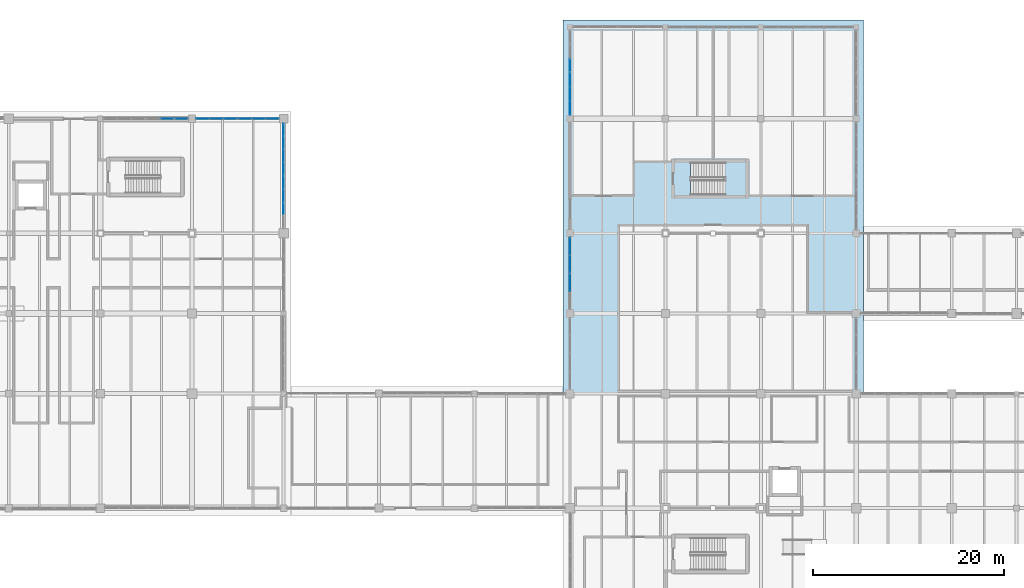
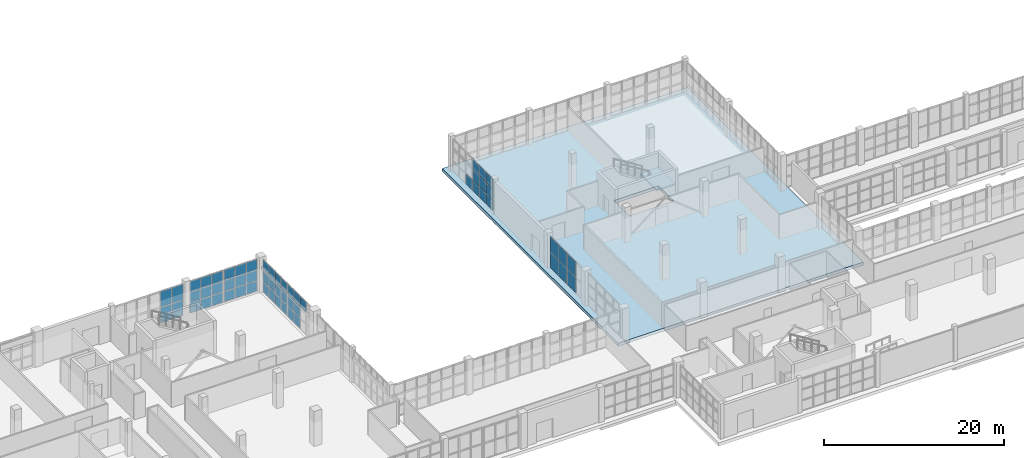
# One storey, part 83 of 121: 57 plates, 2 slabs, 10 elements without a shape of their own.
"""IFC4 building model written with IfcOpenShell, lengths in metres."""

import ifcopenshell
import ifcopenshell.guid

model = None  # the IFC model being written
_history = None  # IfcOwnerHistory: only IFC2X3 demands one
_inside = {}  # id of a spatial element -> (the spatial element, [elements in it])
_under = {}  # id of a project, library or spatial element -> (it, [spatial elements below it])
_declared = {}  # id of a project -> (the project, [libraries it declares])
_typed = {}  # id of a type object -> (the type object, [elements of that type])
_made_of = {}  # id of a material, layer set ... -> (it, [elements and type objects made of it])


def new_model(schema):
    """Start an empty IFC model of exactly this schema.

    Asked for "IFC4X3", IfcOpenShell would pick the latest addendum, in which some entities
    have other attributes; the version numbers below select the first issue.
    IFC2X3 requires an IfcOwnerHistory on every rooted entity: one is made here for all.
    """
    global model, _history
    if schema == "IFC4X3":
        model = ifcopenshell.file(schema_version=(4, 3, 0, 0))
    else:
        model = ifcopenshell.file(schema=schema)
    _inside.clear()
    _under.clear()
    _declared.clear()
    _typed.clear()
    _made_of.clear()
    _history = None
    if model.schema == "IFC2X3":
        org = make("IfcOrganization", Name="unknown")
        user = make(
            "IfcPersonAndOrganization",
            ThePerson=make("IfcPerson", FamilyName="unknown"),
            TheOrganization=org,
        )
        app = make(
            "IfcApplication",
            ApplicationDeveloper=org,
            Version="unknown",
            ApplicationFullName="unknown",
            ApplicationIdentifier="unknown",
        )
        _history = make(
            "IfcOwnerHistory",
            OwningUser=user,
            OwningApplication=app,
            ChangeAction="ADDED",
            CreationDate=0,
        )
    return model


def make(cls, **values):
    """One entity of the class cls with the attributes given. An attribute that is None is left unset."""
    return model.create_entity(
        cls, **{name: value for name, value in values.items() if value is not None}
    )


def rooted(cls, **values):
    """An entity with a GlobalId (a new one), such as an element, a storey or a relation."""
    return make(cls, GlobalId=ifcopenshell.guid.new(), OwnerHistory=_history, **values)


def si_unit(unit_type, name, prefix=None):
    """IfcSIUnit, for example si_unit("LENGTHUNIT", "METRE", prefix="MILLI")."""
    return make("IfcSIUnit", UnitType=unit_type, Prefix=prefix, Name=name)


def assignment(units):
    """IfcUnitAssignment: the units of a project."""
    return None if units is None else make("IfcUnitAssignment", Units=units)


def point(xyz):
    """IfcCartesianPoint."""
    return None if xyz is None else make("IfcCartesianPoint", Coordinates=xyz)


def direction(xyz):
    """IfcDirection."""
    return None if xyz is None else make("IfcDirection", DirectionRatios=xyz)


def frame(location, z_axis=None, x_axis=None):
    """IfcAxis2Placement3D, a coordinate frame: its origin and axes. An axis left out is left unset."""
    return make(
        "IfcAxis2Placement3D",
        Location=point(location),
        Axis=direction(z_axis),
        RefDirection=direction(x_axis),
    )


def frame_2d(location, x_axis=None):
    """IfcAxis2Placement2D, a coordinate frame in the plane: its origin and x axis."""
    return make(
        "IfcAxis2Placement2D", Location=point(location), RefDirection=direction(x_axis)
    )


def origin():
    """The frame at (0, 0, 0) with its axes left unset."""
    return frame((0.0, 0.0, 0.0))


def origin_2d():
    """The frame at (0, 0) in the plane with its x axis left unset."""
    return frame_2d((0.0, 0.0))


def place(relative_to, where):
    """IfcLocalPlacement: puts the frame where relative to a parent placement (None: the world)."""
    return make(
        "IfcLocalPlacement", PlacementRelTo=relative_to, RelativePlacement=where
    )


def context(
    kind, dimensions, precision=None, world=None, true_north=None, identifier=None
):
    """IfcGeometricRepresentationContext, for example the 3D "Model" context."""
    return make(
        "IfcGeometricRepresentationContext",
        ContextIdentifier=identifier,
        ContextType=kind,
        CoordinateSpaceDimension=dimensions,
        Precision=precision,
        WorldCoordinateSystem=world,
        TrueNorth=true_north,
    )


def subcontext(parent, identifier, kind, view, scale=None):
    """IfcGeometricRepresentationSubContext, for example "Body" below "Model"."""
    return make(
        "IfcGeometricRepresentationSubContext",
        ContextIdentifier=identifier,
        ContextType=kind,
        ParentContext=parent,
        TargetScale=scale,
        TargetView=view,
    )


def project(units=None, contexts=None):
    """IfcProject with its units and contexts."""
    return rooted(
        "IfcProject",
        Name="project",
        RepresentationContexts=contexts,
        UnitsInContext=assignment(units),
    )


def spatial(cls, under=None, at=None, **own):
    """A site, building, storey or space (cls), placed at a placement, below another one or the project."""
    s = rooted(cls, ObjectPlacement=at, **own)
    if under is not None:
        _under.setdefault(under.id(), (under, []))[1].append(s)
    return s


def polyline(points):
    """IfcPolyline through the points."""
    return make("IfcPolyline", Points=[point(p) for p in points])


def profile(cls, at=None, kind="AREA", **sizes):
    """A parametric profile (cls). Its sizes go by their IFC names, for example OverallWidth=200.0."""
    return make(cls, ProfileType=kind, Position=at, **sizes)


def rectangle(**sizes):
    """IfcRectangleProfileDef."""
    return profile("IfcRectangleProfileDef", **sizes)


def outline(outer, holes=None, kind="AREA"):
    """IfcArbitraryClosedProfileDef: a profile drawn as a closed curve; with holes, ...WithVoids."""
    if holes is None:
        return make("IfcArbitraryClosedProfileDef", ProfileType=kind, OuterCurve=outer)
    return make(
        "IfcArbitraryProfileDefWithVoids",
        ProfileType=kind,
        OuterCurve=outer,
        InnerCurves=holes,
    )


def extrude(swept, where, along, depth):
    """IfcExtrudedAreaSolid: the profile swept, set in the frame where, extruded along a direction by depth."""
    return make(
        "IfcExtrudedAreaSolid",
        SweptArea=swept,
        Position=where,
        ExtrudedDirection=direction(along),
        Depth=depth,
    )


def shape(context_of_items, identifier, shape_type, items):
    """IfcShapeRepresentation: the items that make up one representation, for example the "Body"."""
    return make(
        "IfcShapeRepresentation",
        ContextOfItems=context_of_items,
        RepresentationIdentifier=identifier,
        RepresentationType=shape_type,
        Items=items,
    )


def material(Name=None, Category=None):
    """IfcMaterial."""
    return make("IfcMaterial", Name=Name, Category=Category)


def layer(
    of_material, thickness, ventilated=None, Name=None, Category=None, Priority=None
):
    """IfcMaterialLayer: one layer of a wall or slab, of a material (None: an air gap)."""
    return make(
        "IfcMaterialLayer",
        Material=of_material,
        LayerThickness=thickness,
        IsVentilated=ventilated,
        Name=Name,
        Category=Category,
        Priority=Priority,
    )


def layer_set(layers, Name=None):
    """IfcMaterialLayerSet."""
    return make("IfcMaterialLayerSet", MaterialLayers=layers, LayerSetName=Name)


def made_of(thing, what):
    """Note that an element or type object is made of a material, layer set ...; save() writes the relation."""
    if what is not None:
        _made_of.setdefault(what.id(), (what, []))[1].append(thing)
    return thing


def type_object(cls, material=None, **own):
    """A type object (cls), such as IfcWallType, which elements share."""
    return made_of(rooted(cls, **own), material)


def element(
    cls,
    number,
    at=None,
    inside=None,
    cuts=None,
    type_object=None,
    material=None,
    context=None,
    identifier="Body",
    shape_type=None,
    held_by="IfcProductDefinitionShape",
    body=None,
    shapes=None,
    **own,
):
    """One element of the class cls, such as IfcWall. Its Tag is "e" and its number.

    at: its placement. inside: the storey or other place that contains it. cuts: it is an
    opening in that element (IfcRelVoidsElement). A single representation is given by context,
    identifier, shape_type and body (its items); several are given by shapes. held_by: the class
    of the entity that holds the representations. save() writes the other relations.
    """
    e = rooted(cls, Tag="e%d" % number, ObjectPlacement=at, **own)
    if body is not None:
        shapes = [shape(context, identifier, shape_type, body)]
    if shapes is not None:
        e.Representation = make(held_by, Representations=shapes)
    if inside is not None:
        _inside.setdefault(inside.id(), (inside, []))[1].append(e)
    if cuts is not None:
        rooted(
            "IfcRelVoidsElement", RelatingBuildingElement=cuts, RelatedOpeningElement=e
        )
    if type_object is not None:
        _typed.setdefault(type_object.id(), (type_object, []))[1].append(e)
    return made_of(e, material)


def aggregate(whole, parts):
    """IfcRelAggregates: a whole, such as a stair, and the parts it consists of."""
    return rooted("IfcRelAggregates", RelatingObject=whole, RelatedObjects=parts)


def save(model, path):
    """Write the relations noted so far, then the file.

    IfcRelAggregates (storeys below a building ...), IfcRelContainedInSpatialStructure (elements
    in a storey), IfcRelDefinesByType, IfcRelAssociatesMaterial and IfcRelDeclares: one each for
    every whole, place, type object, material and project.
    """
    for whole, parts in _under.values():
        aggregate(whole, parts)
    for where, things in _inside.values():
        rooted(
            "IfcRelContainedInSpatialStructure",
            RelatedElements=things,
            RelatingStructure=where,
        )
    for kind, things in _typed.values():
        rooted("IfcRelDefinesByType", RelatedObjects=things, RelatingType=kind)
    for what, things in _made_of.values():
        rooted("IfcRelAssociatesMaterial", RelatedObjects=things, RelatingMaterial=what)
    for by, libraries in _declared.values():
        rooted("IfcRelDeclares", RelatingContext=by, RelatedDefinitions=libraries)
    model.write(path)


model = new_model("IFC4")

# Units and contexts
model_context = context("Model", 3, precision=1e-05, world=origin(), true_north=direction((0.0, 1.0)))
body_context = subcontext(model_context, "Body", "Model", "MODEL_VIEW")
ifc_project = project(units=[si_unit("LENGTHUNIT", "METRE"), si_unit("AREAUNIT", "SQUARE_METRE"), si_unit("VOLUMEUNIT", "CUBIC_METRE"), si_unit("PLANEANGLEUNIT", "RADIAN"), si_unit("MASSUNIT", "GRAM", prefix="KILO")], contexts=[model_context])

# Site, building, storey
site_placement = place(None, origin())
site = spatial("IfcSite", under=ifc_project, at=site_placement, CompositionType="ELEMENT")
building_placement = place(site_placement, origin())
building = spatial("IfcBuilding", under=site, at=building_placement, Name="Zereglee Splitstone Museum", CompositionType="ELEMENT")
storey_placement = place(building_placement, origin())
storey = spatial("IfcBuildingStorey", under=building, at=storey_placement, Name="L00", CompositionType="ELEMENT", Elevation=0.0)

# Curtain wall, plate
ifc_material_1 = material(Name="Triple-glazed low-E argon glass and bronze-anodised aluminium", Category="aluminium")
ifc_layer_1 = layer(ifc_material_1, 0.179931640625)
ifc_layer_set_1 = layer_set([ifc_layer_1], Name="Triple-glazed low-E argon glass and bronze-anodised aluminium")
curtain_wall_type_1 = type_object("IfcCurtainWallType", Name="CW-0443-444", PredefinedType="USERDEFINED", material=ifc_layer_set_1)
curtain_wall_1_placement = place(storey_placement, origin())
curtain_wall_1 = element("IfcCurtainWall", 1, at=curtain_wall_1_placement, inside=storey, type_object=curtain_wall_type_1, Name="Glazed Curtain Wall CW-0443-444 (L00)", ObjectType="GLAZED CURTAIN WALL", PredefinedType="USERDEFINED")
ifc_material_2 = material(Name="Triple low-e argon insulated safety glass", Category="glass")
ifc_layer_2 = layer(ifc_material_2, 0.035888671875)
ifc_layer_set_2 = layer_set([ifc_layer_2], Name="Triple low-e argon insulated safety glass")
plate_type = type_object("IfcPlateType", Name="CWP-01", PredefinedType="CURTAIN_PANEL", material=ifc_layer_set_2)
plate_1_placement = place(storey_placement, frame((175.199951171875, 56.01904296875, 0.06494140625), z_axis=(0.0, 0.0, 1.0), x_axis=(0.0, -1.0, 0.0)))
plate_1 = element("IfcPlate", 2, at=plate_1_placement, type_object=plate_type, Name="CW-0443-444 panel 3.1", PredefinedType="CURTAIN_PANEL", context=body_context, shape_type="SweptSolid", body=[
    extrude(rectangle(XDim=1.378173828125, YDim=0.035888671875, at=origin_2d()), origin(), (0.0, 0.0, 1.0), 1.382568359375),
])
aggregate(curtain_wall_1, [plate_1])

# Curtain wall, plates
ifc_layer_3 = layer(ifc_material_1, 0.179931640625)
ifc_layer_set_3 = layer_set([ifc_layer_3], Name="Triple-glazed low-E argon glass and bronze-anodised aluminium")
curtain_wall_type_2 = type_object("IfcCurtainWallType", Name="CW-0443-442", PredefinedType="USERDEFINED", material=ifc_layer_set_3)
curtain_wall_2_placement = place(storey_placement, origin())
curtain_wall_2 = element("IfcCurtainWall", 3, at=curtain_wall_2_placement, inside=storey, type_object=curtain_wall_type_2, Name="Glazed Curtain Wall CW-0443-442 (L00)", ObjectType="GLAZED CURTAIN WALL", PredefinedType="USERDEFINED")
plate_2_placement = place(storey_placement, frame((175.199951171875, 54.430908203125, 0.06494140625), z_axis=(0.0, 0.0, 1.0), x_axis=(0.0, -1.0, 0.0)))
plate_2 = element("IfcPlate", 4, at=plate_2_placement, type_object=plate_type, Name="CW-0443-442 panel 1.1", PredefinedType="CURTAIN_PANEL", context=body_context, shape_type="SweptSolid", body=[
    extrude(rectangle(XDim=1.378173828125, YDim=0.035888671875, at=origin_2d()), origin(), (0.0, 0.0, 1.0), 1.375732421875),
])
plate_3_placement = place(storey_placement, frame((175.199951171875, 54.430908203125, 1.505859375), z_axis=(0.0, 0.0, 1.0), x_axis=(0.0, -1.0, 0.0)))
plate_3 = element("IfcPlate", 5, at=plate_3_placement, type_object=plate_type, Name="CW-0443-442 panel 1.2", PredefinedType="CURTAIN_PANEL", context=body_context, shape_type="SweptSolid", body=[
    extrude(rectangle(XDim=1.378173828125, YDim=0.035888671875, at=origin_2d()), origin(), (0.0, 0.0, 1.0), 1.408447265625),
])
plate_4_placement = place(storey_placement, frame((175.199951171875, 54.430908203125, 2.97900390625), z_axis=(0.0, 0.0, 1.0), x_axis=(0.0, -1.0, 0.0)))
plate_4 = element("IfcPlate", 6, at=plate_4_placement, type_object=plate_type, Name="CW-0443-442 panel 1.3", PredefinedType="CURTAIN_PANEL", context=body_context, shape_type="SweptSolid", body=[
    extrude(rectangle(XDim=1.378173828125, YDim=0.035888671875, at=origin_2d()), origin(), (0.0, 0.0, 1.0), 1.375732421875),
])
plate_5_placement = place(storey_placement, frame((175.199951171875, 52.971435546875, 0.06494140625), z_axis=(0.0, 0.0, 1.0), x_axis=(0.0, -1.0, 0.0)))
plate_5 = element("IfcPlate", 7, at=plate_5_placement, type_object=plate_type, Name="CW-0443-442 panel 2.1", PredefinedType="CURTAIN_PANEL", context=body_context, shape_type="SweptSolid", body=[
    extrude(rectangle(XDim=1.41064453125, YDim=0.035888671875, at=origin_2d()), origin(), (0.0, 0.0, 1.0), 1.375732421875),
])
plate_6_placement = place(storey_placement, frame((175.199951171875, 52.971435546875, 1.505859375), z_axis=(0.0, 0.0, 1.0), x_axis=(0.0, -1.0, 0.0)))
plate_6 = element("IfcPlate", 8, at=plate_6_placement, type_object=plate_type, Name="CW-0443-442 panel 2.2", PredefinedType="CURTAIN_PANEL", context=body_context, shape_type="SweptSolid", body=[
    extrude(rectangle(XDim=1.41064453125, YDim=0.035888671875, at=origin_2d()), origin(), (0.0, 0.0, 1.0), 1.408447265625),
])
plate_7_placement = place(storey_placement, frame((175.199951171875, 52.971435546875, 2.97900390625), z_axis=(0.0, 0.0, 1.0), x_axis=(0.0, -1.0, 0.0)))
plate_7 = element("IfcPlate", 9, at=plate_7_placement, type_object=plate_type, Name="CW-0443-442 panel 2.3", PredefinedType="CURTAIN_PANEL", context=body_context, shape_type="SweptSolid", body=[
    extrude(rectangle(XDim=1.41064453125, YDim=0.035888671875, at=origin_2d()), origin(), (0.0, 0.0, 1.0), 1.375732421875),
])
plate_8_placement = place(storey_placement, frame((175.199951171875, 51.511962890625, 0.06494140625), z_axis=(0.0, 0.0, 1.0), x_axis=(0.0, -1.0, 0.0)))
plate_8 = element("IfcPlate", 10, at=plate_8_placement, type_object=plate_type, Name="CW-0443-442 panel 3.1", PredefinedType="CURTAIN_PANEL", context=body_context, shape_type="SweptSolid", body=[
    extrude(rectangle(XDim=1.378173828125, YDim=0.035888671875, at=origin_2d()), origin(), (0.0, 0.0, 1.0), 1.375732421875),
])
plate_9_placement = place(storey_placement, frame((175.199951171875, 51.511962890625, 1.505859375), z_axis=(0.0, 0.0, 1.0), x_axis=(0.0, -1.0, 0.0)))
plate_9 = element("IfcPlate", 11, at=plate_9_placement, type_object=plate_type, Name="CW-0443-442 panel 3.2", PredefinedType="CURTAIN_PANEL", context=body_context, shape_type="SweptSolid", body=[
    extrude(rectangle(XDim=1.378173828125, YDim=0.035888671875, at=origin_2d()), origin(), (0.0, 0.0, 1.0), 1.408447265625),
])
plate_10_placement = place(storey_placement, frame((175.199951171875, 51.511962890625, 2.97900390625), z_axis=(0.0, 0.0, 1.0), x_axis=(0.0, -1.0, 0.0)))
plate_10 = element("IfcPlate", 12, at=plate_10_placement, type_object=plate_type, Name="CW-0443-442 panel 3.3", PredefinedType="CURTAIN_PANEL", context=body_context, shape_type="SweptSolid", body=[
    extrude(rectangle(XDim=1.378173828125, YDim=0.035888671875, at=origin_2d()), origin(), (0.0, 0.0, 1.0), 1.375732421875),
])
aggregate(curtain_wall_2, [plate_2, plate_3, plate_4, plate_5, plate_6, plate_7, plate_8, plate_9, plate_10])

ifc_layer_4 = layer(ifc_material_1, 0.179931640625)
ifc_layer_set_4 = layer_set([ifc_layer_4], Name="Triple-glazed low-E argon glass and bronze-anodised aluminium")
curtain_wall_type_3 = type_object("IfcCurtainWallType", Name="CW-0375-438", PredefinedType="USERDEFINED", material=ifc_layer_set_4)
curtain_wall_3_placement = place(storey_placement, origin())
curtain_wall_3 = element("IfcCurtainWall", 13, at=curtain_wall_3_placement, inside=storey, type_object=curtain_wall_type_3, Name="Glazed Curtain Wall CW-0375-438 (L00)", ObjectType="GLAZED CURTAIN WALL", PredefinedType="USERDEFINED")
plate_11_placement = place(storey_placement, frame((175.199951171875, 37.062744140625, 0.06494140625), z_axis=(0.0, 0.0, 1.0), x_axis=(0.0, -1.0, 0.0)))
plate_11 = element("IfcPlate", 14, at=plate_11_placement, type_object=plate_type, Name="CW-0375-438 panel 1.1", PredefinedType="CURTAIN_PANEL", context=body_context, shape_type="SweptSolid", body=[
    extrude(rectangle(XDim=1.778564453125, YDim=0.035888671875, at=origin_2d()), origin(), (0.0, 0.0, 1.0), 2.092529296875),
])
plate_12_placement = place(storey_placement, frame((175.199951171875, 37.062744140625, 2.22265625), z_axis=(0.0, 0.0, 1.0), x_axis=(0.0, -1.0, 0.0)))
plate_12 = element("IfcPlate", 15, at=plate_12_placement, type_object=plate_type, Name="CW-0375-438 panel 1.2", PredefinedType="CURTAIN_PANEL", context=body_context, shape_type="SweptSolid", body=[
    extrude(rectangle(XDim=1.778564453125, YDim=0.035888671875, at=origin_2d()), origin(), (0.0, 0.0, 1.0), 2.092529296875),
])
plate_13_placement = place(storey_placement, frame((175.199951171875, 35.21923828125, 0.06494140625), z_axis=(0.0, 0.0, 1.0), x_axis=(0.0, -1.0, 0.0)))
plate_13 = element("IfcPlate", 16, at=plate_13_placement, type_object=plate_type, Name="CW-0375-438 panel 2.1", PredefinedType="CURTAIN_PANEL", context=body_context, shape_type="SweptSolid", body=[
    extrude(rectangle(XDim=1.778564453125, YDim=0.035888671875, at=origin_2d()), origin(), (0.0, 0.0, 1.0), 2.092529296875),
])
plate_14_placement = place(storey_placement, frame((175.199951171875, 35.21923828125, 2.22265625), z_axis=(0.0, 0.0, 1.0), x_axis=(0.0, -1.0, 0.0)))
plate_14 = element("IfcPlate", 17, at=plate_14_placement, type_object=plate_type, Name="CW-0375-438 panel 2.2", PredefinedType="CURTAIN_PANEL", context=body_context, shape_type="SweptSolid", body=[
    extrude(rectangle(XDim=1.778564453125, YDim=0.035888671875, at=origin_2d()), origin(), (0.0, 0.0, 1.0), 2.092529296875),
])
aggregate(curtain_wall_3, [plate_11, plate_12, plate_13, plate_14])

ifc_layer_5 = layer(ifc_material_1, 0.179931640625)
ifc_layer_set_5 = layer_set([ifc_layer_5], Name="Triple-glazed low-E argon glass and bronze-anodised aluminium")
curtain_wall_type_4 = type_object("IfcCurtainWallType", Name="CW-0375-436", PredefinedType="USERDEFINED", material=ifc_layer_set_5)
curtain_wall_4_placement = place(storey_placement, origin())
curtain_wall_4 = element("IfcCurtainWall", 18, at=curtain_wall_4_placement, inside=storey, type_object=curtain_wall_type_4, Name="Glazed Curtain Wall CW-0375-436 (L00)", ObjectType="GLAZED CURTAIN WALL", PredefinedType="USERDEFINED")
plate_15_placement = place(storey_placement, frame((175.199951171875, 33.230712890625, 0.06494140625), z_axis=(0.0, 0.0, 1.0), x_axis=(0.0, -1.0, 0.0)))
plate_15 = element("IfcPlate", 19, at=plate_15_placement, type_object=plate_type, Name="CW-0375-436 panel 1.1", PredefinedType="CURTAIN_PANEL", context=body_context, shape_type="SweptSolid", body=[
    extrude(rectangle(XDim=1.778564453125, YDim=0.035888671875, at=origin_2d()), origin(), (0.0, 0.0, 1.0), 2.08251953125),
])
plate_16_placement = place(storey_placement, frame((175.199951171875, 33.230712890625, 2.21240234375), z_axis=(0.0, 0.0, 1.0), x_axis=(0.0, -1.0, 0.0)))
plate_16 = element("IfcPlate", 20, at=plate_16_placement, type_object=plate_type, Name="CW-0375-436 panel 1.2", PredefinedType="CURTAIN_PANEL", context=body_context, shape_type="SweptSolid", body=[
    extrude(rectangle(XDim=1.778564453125, YDim=0.035888671875, at=origin_2d()), origin(), (0.0, 0.0, 1.0), 2.08251953125),
])
aggregate(curtain_wall_4, [plate_15, plate_16])

ifc_layer_6 = layer(ifc_material_1, 0.179931640625)
ifc_layer_set_6 = layer_set([ifc_layer_6], Name="Triple-glazed low-E argon glass and bronze-anodised aluminium")
curtain_wall_type_5 = type_object("IfcCurtainWallType", Name="CW-0548-450", PredefinedType="USERDEFINED", material=ifc_layer_set_6)
curtain_wall_5_placement = place(storey_placement, origin())
curtain_wall_5 = element("IfcCurtainWall", 21, at=curtain_wall_5_placement, inside=storey, type_object=curtain_wall_type_5, Name="Glazed Curtain Wall CW-0548-450 (L00)", ObjectType="GLAZED CURTAIN WALL", PredefinedType="USERDEFINED")
plate_17_placement = place(storey_placement, frame((145.199951171875, 40.9619140625, 3.0322265625), z_axis=(0.0, 0.0, 1.0), x_axis=(0.0, 1.0, 0.0)))
plate_17 = element("IfcPlate", 22, at=plate_17_placement, type_object=plate_type, Name="CW-0548-450 panel 2.3", PredefinedType="CURTAIN_PANEL", context=body_context, shape_type="SweptSolid", body=[
    extrude(rectangle(XDim=1.30419921875, YDim=0.035888671875, at=origin_2d()), origin(), (0.0, 0.0, 1.0), 1.402587890625),
])
plate_18_placement = place(storey_placement, frame((145.199951171875, 42.3310546875, 0.06494140625), z_axis=(0.0, 0.0, 1.0), x_axis=(0.0, 1.0, 0.0)))
plate_18 = element("IfcPlate", 23, at=plate_18_placement, type_object=plate_type, Name="CW-0548-450 panel 3.1", PredefinedType="CURTAIN_PANEL", context=body_context, shape_type="SweptSolid", body=[
    extrude(rectangle(XDim=1.30419921875, YDim=0.035888671875, at=origin_2d()), origin(), (0.0, 0.0, 1.0), 1.402587890625),
])
plate_19_placement = place(storey_placement, frame((145.199951171875, 42.3310546875, 1.532470703125), z_axis=(0.0, 0.0, 1.0), x_axis=(0.0, 1.0, 0.0)))
plate_19 = element("IfcPlate", 24, at=plate_19_placement, type_object=plate_type, Name="CW-0548-450 panel 3.2", PredefinedType="CURTAIN_PANEL", context=body_context, shape_type="SweptSolid", body=[
    extrude(rectangle(XDim=1.30419921875, YDim=0.035888671875, at=origin_2d()), origin(), (0.0, 0.0, 1.0), 1.43505859375),
])
plate_20_placement = place(storey_placement, frame((145.199951171875, 42.3310546875, 3.0322265625), z_axis=(0.0, 0.0, 1.0), x_axis=(0.0, 1.0, 0.0)))
plate_20 = element("IfcPlate", 25, at=plate_20_placement, type_object=plate_type, Name="CW-0548-450 panel 3.3", PredefinedType="CURTAIN_PANEL", context=body_context, shape_type="SweptSolid", body=[
    extrude(rectangle(XDim=1.30419921875, YDim=0.035888671875, at=origin_2d()), origin(), (0.0, 0.0, 1.0), 1.402587890625),
])
plate_21_placement = place(storey_placement, frame((145.199951171875, 43.68408203125, 0.06494140625), z_axis=(0.0, 0.0, 1.0), x_axis=(0.0, 1.0, 0.0)))
plate_21 = element("IfcPlate", 26, at=plate_21_placement, type_object=plate_type, Name="CW-0548-450 panel 4.1", PredefinedType="CURTAIN_PANEL", context=body_context, shape_type="SweptSolid", body=[
    extrude(rectangle(XDim=1.271728515625, YDim=0.035888671875, at=origin_2d()), origin(), (0.0, 0.0, 1.0), 1.402587890625),
])
plate_22_placement = place(storey_placement, frame((145.199951171875, 43.68408203125, 1.532470703125), z_axis=(0.0, 0.0, 1.0), x_axis=(0.0, 1.0, 0.0)))
plate_22 = element("IfcPlate", 27, at=plate_22_placement, type_object=plate_type, Name="CW-0548-450 panel 4.2", PredefinedType="CURTAIN_PANEL", context=body_context, shape_type="SweptSolid", body=[
    extrude(rectangle(XDim=1.271728515625, YDim=0.035888671875, at=origin_2d()), origin(), (0.0, 0.0, 1.0), 1.43505859375),
])
plate_23_placement = place(storey_placement, frame((145.199951171875, 43.68408203125, 3.0322265625), z_axis=(0.0, 0.0, 1.0), x_axis=(0.0, 1.0, 0.0)))
plate_23 = element("IfcPlate", 28, at=plate_23_placement, type_object=plate_type, Name="CW-0548-450 panel 4.3", PredefinedType="CURTAIN_PANEL", context=body_context, shape_type="SweptSolid", body=[
    extrude(rectangle(XDim=1.271728515625, YDim=0.035888671875, at=origin_2d()), origin(), (0.0, 0.0, 1.0), 1.402587890625),
])
aggregate(curtain_wall_5, [plate_17, plate_18, plate_19, plate_20, plate_21, plate_22, plate_23])

ifc_layer_7 = layer(ifc_material_1, 0.179931640625)
ifc_layer_set_7 = layer_set([ifc_layer_7], Name="Triple-glazed low-E argon glass and bronze-anodised aluminium")
curtain_wall_type_6 = type_object("IfcCurtainWallType", Name="CW-0548-448", PredefinedType="USERDEFINED", material=ifc_layer_set_7)
curtain_wall_6_placement = place(storey_placement, origin())
curtain_wall_6 = element("IfcCurtainWall", 29, at=curtain_wall_6_placement, inside=storey, type_object=curtain_wall_type_6, Name="Glazed Curtain Wall CW-0548-448 (L00)", ObjectType="GLAZED CURTAIN WALL", PredefinedType="USERDEFINED")
plate_24_placement = place(storey_placement, frame((145.199951171875, 45.165771484375, 0.06494140625), z_axis=(0.0, 0.0, 1.0), x_axis=(0.0, 1.0, 0.0)))
plate_24 = element("IfcPlate", 30, at=plate_24_placement, type_object=plate_type, Name="CW-0548-448 panel 1.1", PredefinedType="CURTAIN_PANEL", context=body_context, shape_type="SweptSolid", body=[
    extrude(rectangle(XDim=1.271728515625, YDim=0.035888671875, at=origin_2d()), origin(), (0.0, 0.0, 1.0), 1.395751953125),
])
plate_25_placement = place(storey_placement, frame((145.199951171875, 45.165771484375, 1.52587890625), z_axis=(0.0, 0.0, 1.0), x_axis=(0.0, 1.0, 0.0)))
plate_25 = element("IfcPlate", 31, at=plate_25_placement, type_object=plate_type, Name="CW-0548-448 panel 1.2", PredefinedType="CURTAIN_PANEL", context=body_context, shape_type="SweptSolid", body=[
    extrude(rectangle(XDim=1.271728515625, YDim=0.035888671875, at=origin_2d()), origin(), (0.0, 0.0, 1.0), 1.428466796875),
])
plate_26_placement = place(storey_placement, frame((145.199951171875, 45.165771484375, 3.01904296875), z_axis=(0.0, 0.0, 1.0), x_axis=(0.0, 1.0, 0.0)))
plate_26 = element("IfcPlate", 32, at=plate_26_placement, type_object=plate_type, Name="CW-0548-448 panel 1.3", PredefinedType="CURTAIN_PANEL", context=body_context, shape_type="SweptSolid", body=[
    extrude(rectangle(XDim=1.271728515625, YDim=0.035888671875, at=origin_2d()), origin(), (0.0, 0.0, 1.0), 1.395751953125),
])
plate_27_placement = place(storey_placement, frame((145.199951171875, 46.518798828125, 0.06494140625), z_axis=(0.0, 0.0, 1.0), x_axis=(0.0, 1.0, 0.0)))
plate_27 = element("IfcPlate", 33, at=plate_27_placement, type_object=plate_type, Name="CW-0548-448 panel 2.1", PredefinedType="CURTAIN_PANEL", context=body_context, shape_type="SweptSolid", body=[
    extrude(rectangle(XDim=1.30419921875, YDim=0.035888671875, at=origin_2d()), origin(), (0.0, 0.0, 1.0), 1.395751953125),
])
plate_28_placement = place(storey_placement, frame((145.199951171875, 46.518798828125, 1.52587890625), z_axis=(0.0, 0.0, 1.0), x_axis=(0.0, 1.0, 0.0)))
plate_28 = element("IfcPlate", 34, at=plate_28_placement, type_object=plate_type, Name="CW-0548-448 panel 2.2", PredefinedType="CURTAIN_PANEL", context=body_context, shape_type="SweptSolid", body=[
    extrude(rectangle(XDim=1.30419921875, YDim=0.035888671875, at=origin_2d()), origin(), (0.0, 0.0, 1.0), 1.428466796875),
])
plate_29_placement = place(storey_placement, frame((145.199951171875, 46.518798828125, 3.01904296875), z_axis=(0.0, 0.0, 1.0), x_axis=(0.0, 1.0, 0.0)))
plate_29 = element("IfcPlate", 35, at=plate_29_placement, type_object=plate_type, Name="CW-0548-448 panel 2.3", PredefinedType="CURTAIN_PANEL", context=body_context, shape_type="SweptSolid", body=[
    extrude(rectangle(XDim=1.30419921875, YDim=0.035888671875, at=origin_2d()), origin(), (0.0, 0.0, 1.0), 1.395751953125),
])
plate_30_placement = place(storey_placement, frame((145.199951171875, 47.88818359375, 0.06494140625), z_axis=(0.0, 0.0, 1.0), x_axis=(0.0, 1.0, 0.0)))
plate_30 = element("IfcPlate", 36, at=plate_30_placement, type_object=plate_type, Name="CW-0548-448 panel 3.1", PredefinedType="CURTAIN_PANEL", context=body_context, shape_type="SweptSolid", body=[
    extrude(rectangle(XDim=1.30419921875, YDim=0.035888671875, at=origin_2d()), origin(), (0.0, 0.0, 1.0), 1.395751953125),
])
plate_31_placement = place(storey_placement, frame((145.199951171875, 47.88818359375, 1.52587890625), z_axis=(0.0, 0.0, 1.0), x_axis=(0.0, 1.0, 0.0)))
plate_31 = element("IfcPlate", 37, at=plate_31_placement, type_object=plate_type, Name="CW-0548-448 panel 3.2", PredefinedType="CURTAIN_PANEL", context=body_context, shape_type="SweptSolid", body=[
    extrude(rectangle(XDim=1.30419921875, YDim=0.035888671875, at=origin_2d()), origin(), (0.0, 0.0, 1.0), 1.428466796875),
])
plate_32_placement = place(storey_placement, frame((145.199951171875, 47.88818359375, 3.01904296875), z_axis=(0.0, 0.0, 1.0), x_axis=(0.0, 1.0, 0.0)))
plate_32 = element("IfcPlate", 38, at=plate_32_placement, type_object=plate_type, Name="CW-0548-448 panel 3.3", PredefinedType="CURTAIN_PANEL", context=body_context, shape_type="SweptSolid", body=[
    extrude(rectangle(XDim=1.30419921875, YDim=0.035888671875, at=origin_2d()), origin(), (0.0, 0.0, 1.0), 1.395751953125),
])
plate_33_placement = place(storey_placement, frame((145.199951171875, 49.2412109375, 0.06494140625), z_axis=(0.0, 0.0, 1.0), x_axis=(0.0, 1.0, 0.0)))
plate_33 = element("IfcPlate", 39, at=plate_33_placement, type_object=plate_type, Name="CW-0548-448 panel 4.1", PredefinedType="CURTAIN_PANEL", context=body_context, shape_type="SweptSolid", body=[
    extrude(rectangle(XDim=1.271728515625, YDim=0.035888671875, at=origin_2d()), origin(), (0.0, 0.0, 1.0), 1.395751953125),
])
plate_34_placement = place(storey_placement, frame((145.199951171875, 49.2412109375, 1.52587890625), z_axis=(0.0, 0.0, 1.0), x_axis=(0.0, 1.0, 0.0)))
plate_34 = element("IfcPlate", 40, at=plate_34_placement, type_object=plate_type, Name="CW-0548-448 panel 4.2", PredefinedType="CURTAIN_PANEL", context=body_context, shape_type="SweptSolid", body=[
    extrude(rectangle(XDim=1.271728515625, YDim=0.035888671875, at=origin_2d()), origin(), (0.0, 0.0, 1.0), 1.428466796875),
])
plate_35_placement = place(storey_placement, frame((145.199951171875, 49.2412109375, 3.01904296875), z_axis=(0.0, 0.0, 1.0), x_axis=(0.0, 1.0, 0.0)))
plate_35 = element("IfcPlate", 41, at=plate_35_placement, type_object=plate_type, Name="CW-0548-448 panel 4.3", PredefinedType="CURTAIN_PANEL", context=body_context, shape_type="SweptSolid", body=[
    extrude(rectangle(XDim=1.271728515625, YDim=0.035888671875, at=origin_2d()), origin(), (0.0, 0.0, 1.0), 1.395751953125),
])
aggregate(curtain_wall_6, [plate_24, plate_25, plate_26, plate_27, plate_28, plate_29, plate_30, plate_31, plate_32, plate_33, plate_34, plate_35])

ifc_layer_8 = layer(ifc_material_1, 0.179931640625)
ifc_layer_set_8 = layer_set([ifc_layer_8], Name="Triple-glazed low-E argon glass and bronze-anodised aluminium")
curtain_wall_type_7 = type_object("IfcCurtainWallType", Name="CW-0434-444", PredefinedType="USERDEFINED", material=ifc_layer_set_8)
curtain_wall_7_placement = place(storey_placement, origin())
curtain_wall_7 = element("IfcCurtainWall", 42, at=curtain_wall_7_placement, inside=storey, type_object=curtain_wall_type_7, Name="Glazed Curtain Wall CW-0434-444 (L00)", ObjectType="GLAZED CURTAIN WALL", PredefinedType="USERDEFINED")
plate_36_placement = place(storey_placement, frame((144.00244140625, 50.39990234375, 0.06494140625), z_axis=(0.0, 0.0, 1.0), x_axis=(-1.0, 0.0, 0.0)))
plate_36 = element("IfcPlate", 43, at=plate_36_placement, type_object=plate_type, Name="CW-0434-444 panel 1.1", PredefinedType="CURTAIN_PANEL", context=body_context, shape_type="SweptSolid", body=[
    extrude(rectangle(XDim=1.34912109375, YDim=0.035888671875, at=origin_2d()), origin(), (0.0, 0.0, 1.0), 1.382568359375),
])
plate_37_placement = place(storey_placement, frame((144.00244140625, 50.39990234375, 1.512451171875), z_axis=(0.0, 0.0, 1.0), x_axis=(-1.0, 0.0, 0.0)))
plate_37 = element("IfcPlate", 44, at=plate_37_placement, type_object=plate_type, Name="CW-0434-444 panel 1.2", PredefinedType="CURTAIN_PANEL", context=body_context, shape_type="SweptSolid", body=[
    extrude(rectangle(XDim=1.34912109375, YDim=0.035888671875, at=origin_2d()), origin(), (0.0, 0.0, 1.0), 1.4150390625),
])
plate_38_placement = place(storey_placement, frame((144.00244140625, 50.39990234375, 2.99267578125), z_axis=(0.0, 0.0, 1.0), x_axis=(-1.0, 0.0, 0.0)))
plate_38 = element("IfcPlate", 45, at=plate_38_placement, type_object=plate_type, Name="CW-0434-444 panel 1.3", PredefinedType="CURTAIN_PANEL", context=body_context, shape_type="SweptSolid", body=[
    extrude(rectangle(XDim=1.34912109375, YDim=0.035888671875, at=origin_2d()), origin(), (0.0, 0.0, 1.0), 1.382568359375),
])
plate_39_placement = place(storey_placement, frame((142.572265625, 50.39990234375, 0.06494140625), z_axis=(0.0, 0.0, 1.0), x_axis=(-1.0, 0.0, 0.0)))
plate_39 = element("IfcPlate", 46, at=plate_39_placement, type_object=plate_type, Name="CW-0434-444 panel 2.1", PredefinedType="CURTAIN_PANEL", context=body_context, shape_type="SweptSolid", body=[
    extrude(rectangle(XDim=1.381591796875, YDim=0.035888671875, at=origin_2d()), origin(), (0.0, 0.0, 1.0), 1.382568359375),
])
plate_40_placement = place(storey_placement, frame((142.572265625, 50.39990234375, 1.512451171875), z_axis=(0.0, 0.0, 1.0), x_axis=(-1.0, 0.0, 0.0)))
plate_40 = element("IfcPlate", 47, at=plate_40_placement, type_object=plate_type, Name="CW-0434-444 panel 2.2", PredefinedType="CURTAIN_PANEL", context=body_context, shape_type="SweptSolid", body=[
    extrude(rectangle(XDim=1.381591796875, YDim=0.035888671875, at=origin_2d()), origin(), (0.0, 0.0, 1.0), 1.4150390625),
])
plate_41_placement = place(storey_placement, frame((142.572265625, 50.39990234375, 2.99267578125), z_axis=(0.0, 0.0, 1.0), x_axis=(-1.0, 0.0, 0.0)))
plate_41 = element("IfcPlate", 48, at=plate_41_placement, type_object=plate_type, Name="CW-0434-444 panel 2.3", PredefinedType="CURTAIN_PANEL", context=body_context, shape_type="SweptSolid", body=[
    extrude(rectangle(XDim=1.381591796875, YDim=0.035888671875, at=origin_2d()), origin(), (0.0, 0.0, 1.0), 1.382568359375),
])
plate_42_placement = place(storey_placement, frame((141.14208984375, 50.39990234375, 0.06494140625), z_axis=(0.0, 0.0, 1.0), x_axis=(-1.0, 0.0, 0.0)))
plate_42 = element("IfcPlate", 49, at=plate_42_placement, type_object=plate_type, Name="CW-0434-444 panel 3.1", PredefinedType="CURTAIN_PANEL", context=body_context, shape_type="SweptSolid", body=[
    extrude(rectangle(XDim=1.34912109375, YDim=0.035888671875, at=origin_2d()), origin(), (0.0, 0.0, 1.0), 1.382568359375),
])
plate_43_placement = place(storey_placement, frame((141.14208984375, 50.39990234375, 1.512451171875), z_axis=(0.0, 0.0, 1.0), x_axis=(-1.0, 0.0, 0.0)))
plate_43 = element("IfcPlate", 50, at=plate_43_placement, type_object=plate_type, Name="CW-0434-444 panel 3.2", PredefinedType="CURTAIN_PANEL", context=body_context, shape_type="SweptSolid", body=[
    extrude(rectangle(XDim=1.34912109375, YDim=0.035888671875, at=origin_2d()), origin(), (0.0, 0.0, 1.0), 1.4150390625),
])
plate_44_placement = place(storey_placement, frame((141.14208984375, 50.39990234375, 2.99267578125), z_axis=(0.0, 0.0, 1.0), x_axis=(-1.0, 0.0, 0.0)))
plate_44 = element("IfcPlate", 51, at=plate_44_placement, type_object=plate_type, Name="CW-0434-444 panel 3.3", PredefinedType="CURTAIN_PANEL", context=body_context, shape_type="SweptSolid", body=[
    extrude(rectangle(XDim=1.34912109375, YDim=0.035888671875, at=origin_2d()), origin(), (0.0, 0.0, 1.0), 1.382568359375),
])
aggregate(curtain_wall_7, [plate_36, plate_37, plate_38, plate_39, plate_40, plate_41, plate_42, plate_43, plate_44])

ifc_layer_9 = layer(ifc_material_1, 0.179931640625)
ifc_layer_set_9 = layer_set([ifc_layer_9], Name="Triple-glazed low-E argon glass and bronze-anodised aluminium")
curtain_wall_type_8 = type_object("IfcCurtainWallType", Name="CW-0434-442", PredefinedType="USERDEFINED", material=ifc_layer_set_9)
curtain_wall_8_placement = place(storey_placement, origin())
curtain_wall_8 = element("IfcCurtainWall", 52, at=curtain_wall_8_placement, inside=storey, type_object=curtain_wall_type_8, Name="Glazed Curtain Wall CW-0434-442 (L00)", ObjectType="GLAZED CURTAIN WALL", PredefinedType="USERDEFINED")
plate_45_placement = place(storey_placement, frame((139.5830078125, 50.39990234375, 0.06494140625), z_axis=(0.0, 0.0, 1.0), x_axis=(-1.0, 0.0, 0.0)))
plate_45 = element("IfcPlate", 53, at=plate_45_placement, type_object=plate_type, Name="CW-0434-442 panel 1.1", PredefinedType="CURTAIN_PANEL", context=body_context, shape_type="SweptSolid", body=[
    extrude(rectangle(XDim=1.34912109375, YDim=0.035888671875, at=origin_2d()), origin(), (0.0, 0.0, 1.0), 1.375732421875),
])
plate_46_placement = place(storey_placement, frame((139.5830078125, 50.39990234375, 1.505859375), z_axis=(0.0, 0.0, 1.0), x_axis=(-1.0, 0.0, 0.0)))
plate_46 = element("IfcPlate", 54, at=plate_46_placement, type_object=plate_type, Name="CW-0434-442 panel 1.2", PredefinedType="CURTAIN_PANEL", context=body_context, shape_type="SweptSolid", body=[
    extrude(rectangle(XDim=1.34912109375, YDim=0.035888671875, at=origin_2d()), origin(), (0.0, 0.0, 1.0), 1.408447265625),
])
plate_47_placement = place(storey_placement, frame((139.5830078125, 50.39990234375, 2.97900390625), z_axis=(0.0, 0.0, 1.0), x_axis=(-1.0, 0.0, 0.0)))
plate_47 = element("IfcPlate", 55, at=plate_47_placement, type_object=plate_type, Name="CW-0434-442 panel 1.3", PredefinedType="CURTAIN_PANEL", context=body_context, shape_type="SweptSolid", body=[
    extrude(rectangle(XDim=1.34912109375, YDim=0.035888671875, at=origin_2d()), origin(), (0.0, 0.0, 1.0), 1.375732421875),
])
plate_48_placement = place(storey_placement, frame((138.15283203125, 50.39990234375, 0.06494140625), z_axis=(0.0, 0.0, 1.0), x_axis=(-1.0, 0.0, 0.0)))
plate_48 = element("IfcPlate", 56, at=plate_48_placement, type_object=plate_type, Name="CW-0434-442 panel 2.1", PredefinedType="CURTAIN_PANEL", context=body_context, shape_type="SweptSolid", body=[
    extrude(rectangle(XDim=1.381591796875, YDim=0.035888671875, at=origin_2d()), origin(), (0.0, 0.0, 1.0), 1.375732421875),
])
plate_49_placement = place(storey_placement, frame((138.15283203125, 50.39990234375, 1.505859375), z_axis=(0.0, 0.0, 1.0), x_axis=(-1.0, 0.0, 0.0)))
plate_49 = element("IfcPlate", 57, at=plate_49_placement, type_object=plate_type, Name="CW-0434-442 panel 2.2", PredefinedType="CURTAIN_PANEL", context=body_context, shape_type="SweptSolid", body=[
    extrude(rectangle(XDim=1.381591796875, YDim=0.035888671875, at=origin_2d()), origin(), (0.0, 0.0, 1.0), 1.408447265625),
])
plate_50_placement = place(storey_placement, frame((138.15283203125, 50.39990234375, 2.97900390625), z_axis=(0.0, 0.0, 1.0), x_axis=(-1.0, 0.0, 0.0)))
plate_50 = element("IfcPlate", 58, at=plate_50_placement, type_object=plate_type, Name="CW-0434-442 panel 2.3", PredefinedType="CURTAIN_PANEL", context=body_context, shape_type="SweptSolid", body=[
    extrude(rectangle(XDim=1.381591796875, YDim=0.035888671875, at=origin_2d()), origin(), (0.0, 0.0, 1.0), 1.375732421875),
])
plate_51_placement = place(storey_placement, frame((136.722412109375, 50.39990234375, 0.06494140625), z_axis=(0.0, 0.0, 1.0), x_axis=(-1.0, 0.0, 0.0)))
plate_51 = element("IfcPlate", 59, at=plate_51_placement, type_object=plate_type, Name="CW-0434-442 panel 3.1", PredefinedType="CURTAIN_PANEL", context=body_context, shape_type="SweptSolid", body=[
    extrude(rectangle(XDim=1.34912109375, YDim=0.035888671875, at=origin_2d()), origin(), (0.0, 0.0, 1.0), 1.375732421875),
])
plate_52_placement = place(storey_placement, frame((136.722412109375, 50.39990234375, 1.505859375), z_axis=(0.0, 0.0, 1.0), x_axis=(-1.0, 0.0, 0.0)))
plate_52 = element("IfcPlate", 60, at=plate_52_placement, type_object=plate_type, Name="CW-0434-442 panel 3.2", PredefinedType="CURTAIN_PANEL", context=body_context, shape_type="SweptSolid", body=[
    extrude(rectangle(XDim=1.34912109375, YDim=0.035888671875, at=origin_2d()), origin(), (0.0, 0.0, 1.0), 1.408447265625),
])
plate_53_placement = place(storey_placement, frame((136.722412109375, 50.39990234375, 2.97900390625), z_axis=(0.0, 0.0, 1.0), x_axis=(-1.0, 0.0, 0.0)))
plate_53 = element("IfcPlate", 61, at=plate_53_placement, type_object=plate_type, Name="CW-0434-442 panel 3.3", PredefinedType="CURTAIN_PANEL", context=body_context, shape_type="SweptSolid", body=[
    extrude(rectangle(XDim=1.34912109375, YDim=0.035888671875, at=origin_2d()), origin(), (0.0, 0.0, 1.0), 1.375732421875),
])
aggregate(curtain_wall_8, [plate_45, plate_46, plate_47, plate_48, plate_49, plate_50, plate_51, plate_52, plate_53])

ifc_layer_10 = layer(ifc_material_1, 0.179931640625)
ifc_layer_set_10 = layer_set([ifc_layer_10], Name="Triple-glazed low-E argon glass and bronze-anodised aluminium")
curtain_wall_type_9 = type_object("IfcCurtainWallType", Name="CW-0441-438", PredefinedType="USERDEFINED", material=ifc_layer_set_10)
curtain_wall_9_placement = place(storey_placement, origin())
curtain_wall_9 = element("IfcCurtainWall", 62, at=curtain_wall_9_placement, inside=storey, type_object=curtain_wall_type_9, Name="Glazed Curtain Wall CW-0441-438 (L00)", ObjectType="GLAZED CURTAIN WALL", PredefinedType="USERDEFINED")
plate_54_placement = place(storey_placement, frame((134.465087890625, 50.39990234375, 0.06494140625), z_axis=(0.0, 0.0, 1.0), x_axis=(-1.0, 0.0, 0.0)))
plate_54 = element("IfcPlate", 63, at=plate_54_placement, type_object=plate_type, Name="CW-0441-438 panel 1.1", PredefinedType="CURTAIN_PANEL", context=body_context, shape_type="SweptSolid", body=[
    extrude(rectangle(XDim=1.3740234375, YDim=0.035888671875, at=origin_2d()), origin(), (0.0, 0.0, 1.0), 2.092529296875),
])
plate_55_placement = place(storey_placement, frame((134.465087890625, 50.39990234375, 2.22265625), z_axis=(0.0, 0.0, 1.0), x_axis=(-1.0, 0.0, 0.0)))
plate_55 = element("IfcPlate", 64, at=plate_55_placement, type_object=plate_type, Name="CW-0441-438 panel 1.2", PredefinedType="CURTAIN_PANEL", context=body_context, shape_type="SweptSolid", body=[
    extrude(rectangle(XDim=1.3740234375, YDim=0.035888671875, at=origin_2d()), origin(), (0.0, 0.0, 1.0), 2.092529296875),
])
plate_56_placement = place(storey_placement, frame((133.009765625, 50.39990234375, 0.06494140625), z_axis=(0.0, 0.0, 1.0), x_axis=(-1.0, 0.0, 0.0)))
plate_56 = element("IfcPlate", 65, at=plate_56_placement, type_object=plate_type, Name="CW-0441-438 panel 2.1", PredefinedType="CURTAIN_PANEL", context=body_context, shape_type="SweptSolid", body=[
    extrude(rectangle(XDim=1.406494140625, YDim=0.035888671875, at=origin_2d()), origin(), (0.0, 0.0, 1.0), 2.092529296875),
])
plate_57_placement = place(storey_placement, frame((133.009765625, 50.39990234375, 2.22265625), z_axis=(0.0, 0.0, 1.0), x_axis=(-1.0, 0.0, 0.0)))
plate_57 = element("IfcPlate", 66, at=plate_57_placement, type_object=plate_type, Name="CW-0441-438 panel 2.2", PredefinedType="CURTAIN_PANEL", context=body_context, shape_type="SweptSolid", body=[
    extrude(rectangle(XDim=1.406494140625, YDim=0.035888671875, at=origin_2d()), origin(), (0.0, 0.0, 1.0), 2.092529296875),
])
aggregate(curtain_wall_9, [plate_54, plate_55, plate_56, plate_57])

# Slab
ifc_material_3 = material(Name="Concrete C35/45", Category="concrete")
ifc_layer_11 = layer(ifc_material_3, 0.419921875)
ifc_layer_set_11 = layer_set([ifc_layer_11], Name="Concrete C35/45")
slab_type_1 = type_object("IfcSlabType", Name="FS-01", PredefinedType="FLOOR", material=ifc_layer_set_11)
slab_1_placement = place(storey_placement, frame((0.0, 0.0, -0.419921875)))
element("IfcSlab", 67, at=slab_1_placement, inside=storey, type_object=slab_type_1, Name="Gallery Floor Slab L00-V4", PredefinedType="FLOOR", context=body_context, shape_type="SweptSolid", body=[
    extrude(outline(polyline([(174.449951171875, 21.60009765625), (205.949951171875, 21.60009765625), (205.949951171875, 60.75), (174.449951171875, 60.75), (174.449951171875, 21.60009765625)]), holes=[polyline([(187.85400390625, 42.39990234375), (193.60009765625, 42.39990234375), (193.60009765625, 45.800048828125), (187.85400390625, 45.800048828125), (187.85400390625, 42.39990234375)])]), origin(), (0.0, 0.0, 1.0), 0.419921875),
])

# Stair, slab
stair_type = type_object("IfcStairType", Name="ST-07A", PredefinedType="HALF_TURN_STAIR", material=ifc_material_3)
stair_placement = place(storey_placement, origin())
stair = element("IfcStair", 68, at=stair_placement, inside=storey, type_object=stair_type, Name="L00 Protected Exit Stair ST-07 A", PredefinedType="HALF_TURN_STAIR")
ifc_layer_12 = layer(ifc_material_3, 0.199951171875)
ifc_layer_set_12 = layer_set([ifc_layer_12], Name="Concrete C35/45")
slab_type_2 = type_object("IfcSlabType", Name="ST-07A", PredefinedType="LANDING", material=ifc_layer_set_12)
slab_2_placement = place(storey_placement, frame((0.0, 0.0, 2.199951171875)))
slab_2 = element("IfcSlab", 69, at=slab_2_placement, type_object=slab_type_2, Name="ST-07A landing 1", PredefinedType="LANDING", context=body_context, shape_type="SweptSolid", body=[
    extrude(outline(polyline([(191.31005859375, 42.260009765625), (193.739990234375, 42.260009765625), (193.739990234375, 45.93994140625), (191.31005859375, 45.93994140625), (191.31005859375, 42.260009765625)])), origin(), (0.0, 0.0, 1.0), 0.199951171875),
])
aggregate(stair, [slab_2])

save(model, "model.ifc")
